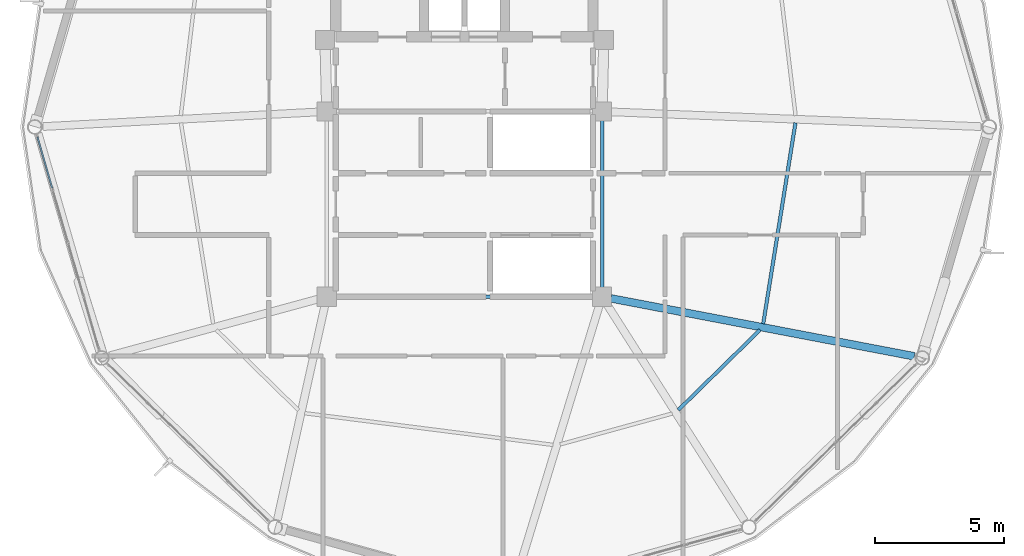
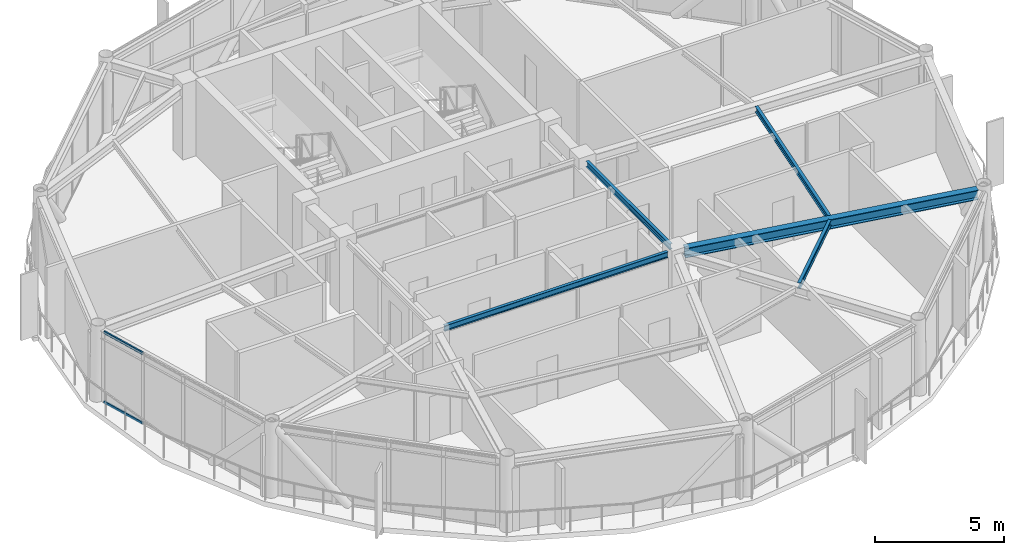
# One storey, part 10 of 27: 5 beams, 2 members, 1 element without a shape of its own.
"""IFC4 building model written with IfcOpenShell, lengths in metres."""

import ifcopenshell
import ifcopenshell.guid

model = None  # the IFC model being written
_history = None  # IfcOwnerHistory: only IFC2X3 demands one
_inside = {}  # id of a spatial element -> (the spatial element, [elements in it])
_under = {}  # id of a project, library or spatial element -> (it, [spatial elements below it])
_declared = {}  # id of a project -> (the project, [libraries it declares])
_typed = {}  # id of a type object -> (the type object, [elements of that type])
_made_of = {}  # id of a material, layer set ... -> (it, [elements and type objects made of it])


def new_model(schema):
    """Start an empty IFC model of exactly this schema.

    Asked for "IFC4X3", IfcOpenShell would pick the latest addendum, in which some entities
    have other attributes; the version numbers below select the first issue.
    IFC2X3 requires an IfcOwnerHistory on every rooted entity: one is made here for all.
    """
    global model, _history
    if schema == "IFC4X3":
        model = ifcopenshell.file(schema_version=(4, 3, 0, 0))
    else:
        model = ifcopenshell.file(schema=schema)
    _inside.clear()
    _under.clear()
    _declared.clear()
    _typed.clear()
    _made_of.clear()
    _history = None
    if model.schema == "IFC2X3":
        org = make("IfcOrganization", Name="unknown")
        user = make(
            "IfcPersonAndOrganization",
            ThePerson=make("IfcPerson", FamilyName="unknown"),
            TheOrganization=org,
        )
        app = make(
            "IfcApplication",
            ApplicationDeveloper=org,
            Version="unknown",
            ApplicationFullName="unknown",
            ApplicationIdentifier="unknown",
        )
        _history = make(
            "IfcOwnerHistory",
            OwningUser=user,
            OwningApplication=app,
            ChangeAction="ADDED",
            CreationDate=0,
        )
    return model


def make(cls, **values):
    """One entity of the class cls with the attributes given. An attribute that is None is left unset."""
    return model.create_entity(
        cls, **{name: value for name, value in values.items() if value is not None}
    )


def rooted(cls, **values):
    """An entity with a GlobalId (a new one), such as an element, a storey or a relation."""
    return make(cls, GlobalId=ifcopenshell.guid.new(), OwnerHistory=_history, **values)


def si_unit(unit_type, name, prefix=None):
    """IfcSIUnit, for example si_unit("LENGTHUNIT", "METRE", prefix="MILLI")."""
    return make("IfcSIUnit", UnitType=unit_type, Prefix=prefix, Name=name)


def assignment(units):
    """IfcUnitAssignment: the units of a project."""
    return None if units is None else make("IfcUnitAssignment", Units=units)


def point(xyz):
    """IfcCartesianPoint."""
    return None if xyz is None else make("IfcCartesianPoint", Coordinates=xyz)


def direction(xyz):
    """IfcDirection."""
    return None if xyz is None else make("IfcDirection", DirectionRatios=xyz)


def frame(location, z_axis=None, x_axis=None):
    """IfcAxis2Placement3D, a coordinate frame: its origin and axes. An axis left out is left unset."""
    return make(
        "IfcAxis2Placement3D",
        Location=point(location),
        Axis=direction(z_axis),
        RefDirection=direction(x_axis),
    )


def frame_2d(location, x_axis=None):
    """IfcAxis2Placement2D, a coordinate frame in the plane: its origin and x axis."""
    return make(
        "IfcAxis2Placement2D", Location=point(location), RefDirection=direction(x_axis)
    )


def origin():
    """The frame at (0, 0, 0) with its axes left unset."""
    return frame((0.0, 0.0, 0.0))


def origin_2d():
    """The frame at (0, 0) in the plane with its x axis left unset."""
    return frame_2d((0.0, 0.0))


def place(relative_to, where):
    """IfcLocalPlacement: puts the frame where relative to a parent placement (None: the world)."""
    return make(
        "IfcLocalPlacement", PlacementRelTo=relative_to, RelativePlacement=where
    )


def context(
    kind, dimensions, precision=None, world=None, true_north=None, identifier=None
):
    """IfcGeometricRepresentationContext, for example the 3D "Model" context."""
    return make(
        "IfcGeometricRepresentationContext",
        ContextIdentifier=identifier,
        ContextType=kind,
        CoordinateSpaceDimension=dimensions,
        Precision=precision,
        WorldCoordinateSystem=world,
        TrueNorth=true_north,
    )


def subcontext(parent, identifier, kind, view, scale=None):
    """IfcGeometricRepresentationSubContext, for example "Body" below "Model"."""
    return make(
        "IfcGeometricRepresentationSubContext",
        ContextIdentifier=identifier,
        ContextType=kind,
        ParentContext=parent,
        TargetScale=scale,
        TargetView=view,
    )


def project(units=None, contexts=None):
    """IfcProject with its units and contexts."""
    return rooted(
        "IfcProject",
        Name="project",
        RepresentationContexts=contexts,
        UnitsInContext=assignment(units),
    )


def spatial(cls, under=None, at=None, **own):
    """A site, building, storey or space (cls), placed at a placement, below another one or the project."""
    s = rooted(cls, ObjectPlacement=at, **own)
    if under is not None:
        _under.setdefault(under.id(), (under, []))[1].append(s)
    return s


def profile(cls, at=None, kind="AREA", **sizes):
    """A parametric profile (cls). Its sizes go by their IFC names, for example OverallWidth=200.0."""
    return make(cls, ProfileType=kind, Position=at, **sizes)


def hollow_rectangle(**sizes):
    """IfcRectangleHollowProfileDef."""
    return profile("IfcRectangleHollowProfileDef", **sizes)


def i_section(**sizes):
    """IfcIShapeProfileDef."""
    return profile("IfcIShapeProfileDef", **sizes)


def extrude(swept, where, along, depth):
    """IfcExtrudedAreaSolid: the profile swept, set in the frame where, extruded along a direction by depth."""
    return make(
        "IfcExtrudedAreaSolid",
        SweptArea=swept,
        Position=where,
        ExtrudedDirection=direction(along),
        Depth=depth,
    )


def shape(context_of_items, identifier, shape_type, items):
    """IfcShapeRepresentation: the items that make up one representation, for example the "Body"."""
    return make(
        "IfcShapeRepresentation",
        ContextOfItems=context_of_items,
        RepresentationIdentifier=identifier,
        RepresentationType=shape_type,
        Items=items,
    )


def material(Name=None, Category=None):
    """IfcMaterial."""
    return make("IfcMaterial", Name=Name, Category=Category)


def layer(
    of_material, thickness, ventilated=None, Name=None, Category=None, Priority=None
):
    """IfcMaterialLayer: one layer of a wall or slab, of a material (None: an air gap)."""
    return make(
        "IfcMaterialLayer",
        Material=of_material,
        LayerThickness=thickness,
        IsVentilated=ventilated,
        Name=Name,
        Category=Category,
        Priority=Priority,
    )


def layer_set(layers, Name=None):
    """IfcMaterialLayerSet."""
    return make("IfcMaterialLayerSet", MaterialLayers=layers, LayerSetName=Name)


def material_profile(
    of_material, cross_section, Name=None, Category=None, Priority=None
):
    """IfcMaterialProfile: a cross section and its material."""
    return make(
        "IfcMaterialProfile",
        Name=Name,
        Material=of_material,
        Profile=cross_section,
        Priority=Priority,
        Category=Category,
    )


def profile_set(profiles, Name=None, composite=None):
    """IfcMaterialProfileSet."""
    return make(
        "IfcMaterialProfileSet",
        Name=Name,
        MaterialProfiles=profiles,
        CompositeProfile=composite,
    )


def made_of(thing, what):
    """Note that an element or type object is made of a material, layer set ...; save() writes the relation."""
    if what is not None:
        _made_of.setdefault(what.id(), (what, []))[1].append(thing)
    return thing


def type_object(cls, material=None, **own):
    """A type object (cls), such as IfcWallType, which elements share."""
    return made_of(rooted(cls, **own), material)


def element(
    cls,
    number,
    at=None,
    inside=None,
    cuts=None,
    type_object=None,
    material=None,
    context=None,
    identifier="Body",
    shape_type=None,
    held_by="IfcProductDefinitionShape",
    body=None,
    shapes=None,
    **own,
):
    """One element of the class cls, such as IfcWall. Its Tag is "e" and its number.

    at: its placement. inside: the storey or other place that contains it. cuts: it is an
    opening in that element (IfcRelVoidsElement). A single representation is given by context,
    identifier, shape_type and body (its items); several are given by shapes. held_by: the class
    of the entity that holds the representations. save() writes the other relations.
    """
    e = rooted(cls, Tag="e%d" % number, ObjectPlacement=at, **own)
    if body is not None:
        shapes = [shape(context, identifier, shape_type, body)]
    if shapes is not None:
        e.Representation = make(held_by, Representations=shapes)
    if inside is not None:
        _inside.setdefault(inside.id(), (inside, []))[1].append(e)
    if cuts is not None:
        rooted(
            "IfcRelVoidsElement", RelatingBuildingElement=cuts, RelatedOpeningElement=e
        )
    if type_object is not None:
        _typed.setdefault(type_object.id(), (type_object, []))[1].append(e)
    return made_of(e, material)


def aggregate(whole, parts):
    """IfcRelAggregates: a whole, such as a stair, and the parts it consists of."""
    return rooted("IfcRelAggregates", RelatingObject=whole, RelatedObjects=parts)


def save(model, path):
    """Write the relations noted so far, then the file.

    IfcRelAggregates (storeys below a building ...), IfcRelContainedInSpatialStructure (elements
    in a storey), IfcRelDefinesByType, IfcRelAssociatesMaterial and IfcRelDeclares: one each for
    every whole, place, type object, material and project.
    """
    for whole, parts in _under.values():
        aggregate(whole, parts)
    for where, things in _inside.values():
        rooted(
            "IfcRelContainedInSpatialStructure",
            RelatedElements=things,
            RelatingStructure=where,
        )
    for kind, things in _typed.values():
        rooted("IfcRelDefinesByType", RelatedObjects=things, RelatingType=kind)
    for what, things in _made_of.values():
        rooted("IfcRelAssociatesMaterial", RelatedObjects=things, RelatingMaterial=what)
    for by, libraries in _declared.values():
        rooted("IfcRelDeclares", RelatingContext=by, RelatedDefinitions=libraries)
    model.write(path)


model = new_model("IFC4")

# Units and contexts
model_context = context("Model", 3, precision=1e-05, world=origin(), true_north=direction((0.0, 1.0)))
body_context = subcontext(model_context, "Body", "Model", "MODEL_VIEW")
ifc_project = project(units=[si_unit("LENGTHUNIT", "METRE"), si_unit("AREAUNIT", "SQUARE_METRE"), si_unit("VOLUMEUNIT", "CUBIC_METRE"), si_unit("PLANEANGLEUNIT", "RADIAN"), si_unit("MASSUNIT", "GRAM", prefix="KILO")], contexts=[model_context])

# Site, building, storey
site_placement = place(None, origin())
site = spatial("IfcSite", under=ifc_project, at=site_placement, CompositionType="ELEMENT")
building_placement = place(site_placement, origin())
building = spatial("IfcBuilding", under=site, at=building_placement, Name="Varnakorn Sky Granary", CompositionType="ELEMENT")
storey_placement = place(building_placement, frame((0.0, 0.0, 245.39990234375)))
storey = spatial("IfcBuildingStorey", under=building, at=storey_placement, Name="L62", CompositionType="ELEMENT", Elevation=245.39990234375)

# Beams
ifc_material_1 = material(Name="Steel S355JR", Category="steel")
ifc_material_profile_1 = material_profile(ifc_material_1, i_section(OverallWidth=0.300048828125, OverallDepth=0.449951171875, WebThickness=0.013916015625, FlangeThickness=0.02587890625, at=origin_2d()), Name="HE 450 B")
ifc_profile_set_1 = profile_set([ifc_material_profile_1], Name="Steel S355JR")
beam_type_1 = type_object("IfcBeamType", Name="BM-RAD-Z5", PredefinedType="BEAM", material=ifc_profile_set_1)
beam_1_placement = place(storey_placement, frame((8.69873046875, -6.66650390625, 3.135009765625), z_axis=(0.982233034597, -0.187665302455, 0.0), x_axis=(0.187665302455, 0.982233034597, 0.0)))
element("IfcBeam", 1, at=beam_1_placement, inside=storey, type_object=beam_type_1, Name="Radial Floor Girder RG12 L62", PredefinedType="BEAM", context=body_context, shape_type="SweptSolid", body=[
    extrude(i_section(OverallWidth=0.300048828125, OverallDepth=0.449951171875, WebThickness=0.013916015625, FlangeThickness=0.02587890625, at=origin_2d()), origin(), (0.0, 0.0, 1.0), 12.005126953125),
])
ifc_material_profile_2 = material_profile(ifc_material_1, i_section(OverallWidth=0.135009765625, OverallDepth=0.27001953125, WebThickness=0.006591796875, FlangeThickness=0.01025390625, at=origin_2d()), Name="IPE 270")
ifc_profile_set_2 = profile_set([ifc_material_profile_2], Name="Steel S355JR")
beam_type_2 = type_object("IfcBeamType", Name="BM-SEC-Z5", PredefinedType="BEAM", material=ifc_profile_set_2)
beam_2_placement = place(storey_placement, frame((11.314208984375, -11.007568359375, 3.22509765625), z_axis=(0.714252854725, 0.699887747798, 0.0), x_axis=(-0.699887747798, 0.714252854725, 0.0)))
element("IfcBeam", 2, at=beam_2_placement, inside=storey, type_object=beam_type_2, Name="Secondary Floor Chord Beam MSB11 L62", PredefinedType="BEAM", context=body_context, shape_type="SweptSolid", body=[
    extrude(i_section(OverallWidth=0.135009765625, OverallDepth=0.27001953125, WebThickness=0.006591796875, FlangeThickness=0.01025390625, at=origin_2d()), origin(), (0.0, 0.0, 1.0), 4.452880859375),
])
beam_3_placement = place(storey_placement, frame((14.61669921875, -7.65478515625, 3.22509765625), z_axis=(0.158428402151, 0.987370468159, 0.0), x_axis=(-0.987370468159, 0.158428402151, 0.0)))
element("IfcBeam", 3, at=beam_3_placement, inside=storey, type_object=beam_type_2, Name="Secondary Floor Chord Beam MSB12 L62", PredefinedType="BEAM", context=body_context, shape_type="SweptSolid", body=[
    extrude(i_section(OverallWidth=0.135009765625, OverallDepth=0.27001953125, WebThickness=0.006591796875, FlangeThickness=0.01025390625, at=origin_2d()), origin(), (0.0, 0.0, 1.0), 7.91455078125),
])
beam_4_placement = place(storey_placement, frame((8.35009765625, 0.2451171875, 3.22509765625), z_axis=(0.0, -1.0, 0.0), x_axis=(1.0, 0.0, 0.0)))
element("IfcBeam", 4, at=beam_4_placement, inside=storey, type_object=beam_type_2, Name="Core Spine Framing Beam 4 L62", PredefinedType="BEAM", context=body_context, shape_type="SweptSolid", body=[
    extrude(i_section(OverallWidth=0.135009765625, OverallDepth=0.27001953125, WebThickness=0.006591796875, FlangeThickness=0.01025390625, at=origin_2d()), origin(), (0.0, 0.0, 1.0), 6.490234375),
])
beam_5_placement = place(storey_placement, frame((-1.9951171875, -6.60009765625, 3.22509765625), z_axis=(1.0, 0.0, 0.0), x_axis=(0.0, 1.0, 0.0)))
element("IfcBeam", 5, at=beam_5_placement, inside=storey, type_object=beam_type_2, Name="Core Spine Framing Beam 6 L62", PredefinedType="BEAM", context=body_context, shape_type="SweptSolid", body=[
    extrude(i_section(OverallWidth=0.135009765625, OverallDepth=0.27001953125, WebThickness=0.006591796875, FlangeThickness=0.01025390625, at=origin_2d()), origin(), (0.0, 0.0, 1.0), 9.990234375),
])

# Curtain wall, members
ifc_material_2 = material(Name="Anodised Bronze Aluminium Alloy 6063-T6", Category="aluminium")
ifc_layer = layer(ifc_material_2, 0.159912109375, Name="Anodised Bronze Aluminium Alloy 6063-T6")
ifc_layer_set = layer_set([ifc_layer], Name="Anodised Bronze Aluminium Alloy 6063-T6")
curtain_wall_type = type_object("IfcCurtainWallType", Name="CW-OFF-1", PredefinedType="USERDEFINED", material=ifc_layer_set)
curtain_wall_placement = place(storey_placement, origin())
curtain_wall = element("IfcCurtainWall", 6, at=curtain_wall_placement, inside=storey, type_object=curtain_wall_type, Name="Unitised Curtain Wall CW6 CW-L62-B07", ObjectType="CURTAIN WALL", PredefinedType="USERDEFINED")
ifc_material_profile_3 = material_profile(ifc_material_2, hollow_rectangle(XDim=0.06494140625, YDim=0.1201171875, WallThickness=0.00341796875, at=origin_2d()), Name="ALU TRAN 65x120")
ifc_profile_set_3 = profile_set([ifc_material_profile_3], Name="Anodised Bronze Aluminium Alloy 6063-T6")
member_type = type_object("IfcMemberType", Name="CW-OFF-1-TRAN", PredefinedType="USERDEFINED", material=ifc_profile_set_3)
member_1_placement = place(storey_placement, frame((-13.02392578125, -2.378173828125, 0.03271484375), z_axis=(-0.278252661279, 0.960507915892, 0.0), x_axis=(-0.960507915892, -0.278252661279, 0.0)))
member_1 = element("IfcMember", 7, at=member_1_placement, type_object=member_type, Name="CW6 transom 4.1", ObjectType="TRANSOM", PredefinedType="USERDEFINED", context=body_context, shape_type="SweptSolid", body=[
    extrude(hollow_rectangle(XDim=0.06494140625, YDim=0.1201171875, WallThickness=0.00341796875, at=origin_2d()), origin(), (0.0, 0.0, 1.0), 2.071533203125),
])
member_2_placement = place(storey_placement, frame((-13.02392578125, -2.378173828125, 3.32763671875), z_axis=(-0.278252661279, 0.960507915892, 0.0), x_axis=(-0.960507915892, -0.278252661279, 0.0)))
member_2 = element("IfcMember", 8, at=member_2_placement, type_object=member_type, Name="CW6 transom 4.2", ObjectType="TRANSOM", PredefinedType="USERDEFINED", context=body_context, shape_type="SweptSolid", body=[
    extrude(hollow_rectangle(XDim=0.06494140625, YDim=0.1201171875, WallThickness=0.00341796875, at=origin_2d()), origin(), (0.0, 0.0, 1.0), 2.071533203125),
])
aggregate(curtain_wall, [member_1, member_2])

save(model, "model.ifc")
